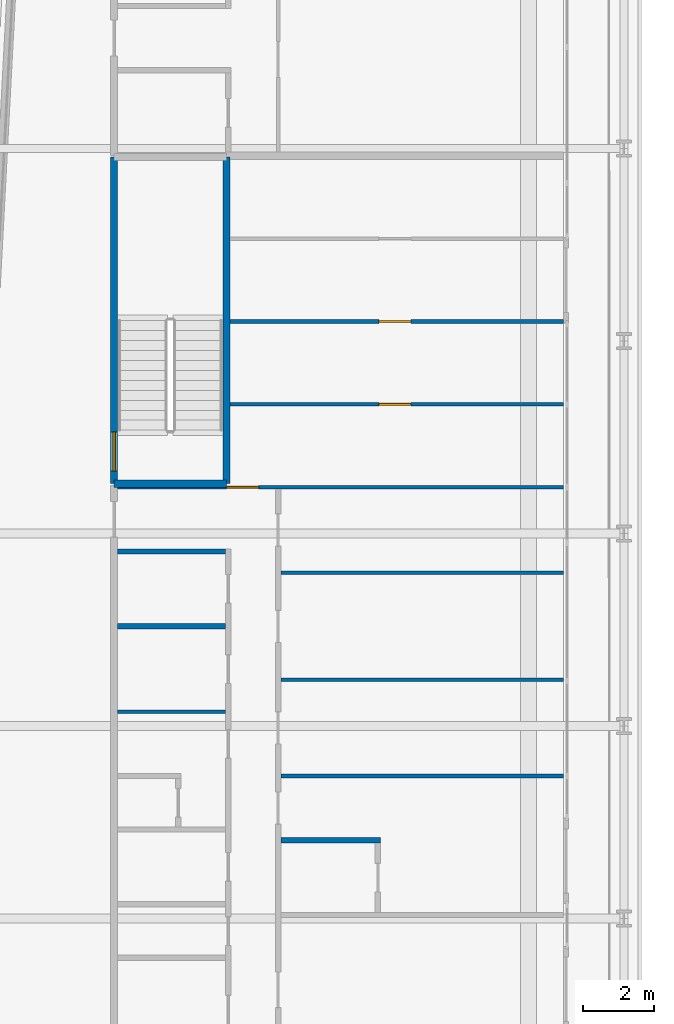
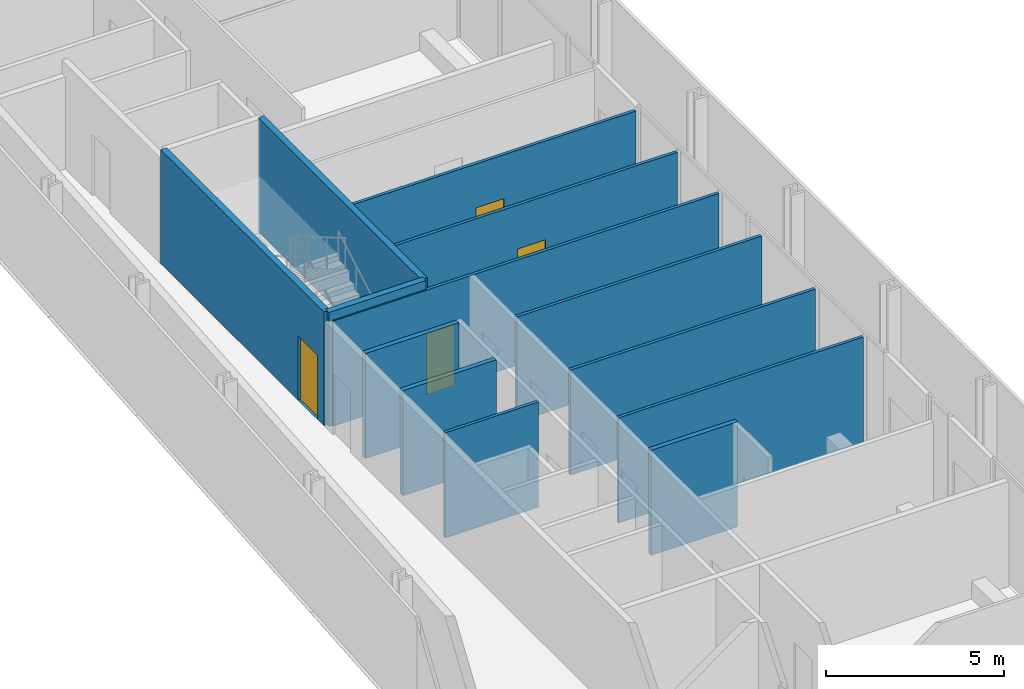
# One storey, part 17 of 27: 13 walls, 4 doors, 4 openings.
"""IFC4 building model written with IfcOpenShell, lengths in metres."""

from ifc_helpers import new_model, si_unit, direction, frame, frame_2d, origin, place, context, subcontext, project, spatial, rectangle, extrude, source, transform, mapped, material, layer, layer_set, type_object, element, fill, save


model = new_model("IFC4")

# Units and contexts
model_context = context("Model", 3, precision=1e-05, world=origin(), true_north=direction((0.0, 1.0)))
body_context = subcontext(model_context, "Body", "Model", "MODEL_VIEW")
ifc_project = project(units=[si_unit("LENGTHUNIT", "METRE"), si_unit("AREAUNIT", "SQUARE_METRE"), si_unit("VOLUMEUNIT", "CUBIC_METRE"), si_unit("PLANEANGLEUNIT", "RADIAN"), si_unit("MASSUNIT", "GRAM", prefix="KILO")], contexts=[model_context])

# Site, building, storey
site_placement = place(None, origin())
site = spatial("IfcSite", under=ifc_project, at=site_placement, CompositionType="ELEMENT")
building_placement = place(site_placement, origin())
building = spatial("IfcBuilding", under=site, at=building_placement, Name="Kheshtan School and Residences Tower", CompositionType="ELEMENT")
storey_placement = place(building_placement, frame((0.0, 0.0, 50.0)))
storey = spatial("IfcBuildingStorey", under=building, at=storey_placement, Name="L11", CompositionType="ELEMENT", Elevation=50.0)

# Wall
ifc_material_1 = material(Name="Gypsum board on steel studs", Category="steel")
ifc_layer_1 = layer(ifc_material_1, 0.10009765625)
ifc_layer_set_1 = layer_set([ifc_layer_1], Name="Gypsum partition 100")
wall_type_1 = type_object("IfcWallType", Name="Gypsum partition 100", PredefinedType="PARTITIONING", material=ifc_layer_set_1)
wall_1_placement = place(storey_placement, frame((33.39990234375, 73.0, 0.0), z_axis=(0.0, 0.0, 1.0), x_axis=(1.0, 0.0, 0.0)))
element("IfcWall", 1, at=wall_1_placement, inside=storey, type_object=wall_type_1, Name="Partition L11-014", PredefinedType="PARTITIONING", context=body_context, shape_type="SweptSolid", body=[
    extrude(rectangle(XDim=3.025146484375, YDim=0.10009765625, at=frame_2d((1.5126953125, 0.0))), origin(), (0.0, 0.0, 1.0), 3.60009765625),
])

# Wall, opening, door
wall_2_placement = place(storey_placement, frame((33.39990234375, 79.300048828125, 0.0), z_axis=(0.0, 0.0, 1.0), x_axis=(1.0, 0.0, 0.0)))
wall_2 = element("IfcWall", 2, at=wall_2_placement, inside=storey, type_object=wall_type_1, Name="Partition L11-017", PredefinedType="PARTITIONING", context=body_context, shape_type="SweptSolid", body=[
    extrude(rectangle(XDim=12.5, YDim=0.10009765625, at=frame_2d((6.25, 0.0))), origin(), (0.0, 0.0, 1.0), 3.60009765625),
])
opening_1_placement = place(wall_2_placement, frame((3.052978515625, 0.0, 0.0)))
opening_1 = element("IfcOpeningElement", 3, at=opening_1_placement, cuts=wall_2, Name="Opening D10-046", PredefinedType="OPENING", context=body_context, shape_type="SweptSolid", body=[
    extrude(rectangle(XDim=0.89990234375, YDim=2.10009765625, at=frame_2d((0.449951171875, 1.050048828125))), frame((0.0, 0.06005859375, 0.0), z_axis=(0.0, -1.0, 0.0), x_axis=(1.0, 0.0, 0.0)), (0.0, 0.0, 1.0), 0.1201171875),
])
ifc_material_2 = material(Name="Veneered timber door leaf", Category="wood")
door_type_1 = type_object("IfcDoorType", Name="Door 900 x 2100", OperationType="SINGLE_SWING_LEFT", PredefinedType="DOOR", material=ifc_material_2)
shared_shape_1 = source(origin(), body_context, "Body", "SweptSolid", [
    extrude(rectangle(XDim=0.89990234375, YDim=2.10009765625, at=frame_2d((0.449951171875, 1.050048828125))), frame((0.0, 0.02490234375, 0.0), z_axis=(0.0, -1.0, 0.0), x_axis=(1.0, 0.0, 0.0)), (0.0, 0.0, 1.0), 0.050048828125),
])
door_1_placement = place(opening_1_placement, origin())
door_1 = element("IfcDoor", 4, at=door_1_placement, inside=storey, type_object=door_type_1, Name="Door D10-046", OperationType="SINGLE_SWING_LEFT", OverallHeight=2.10009765625, OverallWidth=0.89990234375, PredefinedType="DOOR", context=body_context, shape_type="MappedRepresentation", body=[
    mapped(shared_shape_1, transform((0.0, 0.0, 0.0), x_axis=(1.0, 0.0, 0.0), y_axis=(0.0, 1.0, 0.0), z_axis=(0.0, 0.0, 1.0), scale=1.0)),
])
fill(opening_1, door_1)

wall_3_placement = place(storey_placement, frame((36.549072265625, 81.625, 0.0), z_axis=(0.0, 0.0, 1.0), x_axis=(1.0, 0.0, 0.0)))
wall_3 = element("IfcWall", 5, at=wall_3_placement, inside=storey, type_object=wall_type_1, Name="Partition L11-030", PredefinedType="PARTITIONING", context=body_context, shape_type="SweptSolid", body=[
    extrude(rectangle(XDim=9.350830078125, YDim=0.10009765625, at=frame_2d((4.67529296875, 0.0))), origin(), (0.0, 0.0, 1.0), 3.60009765625),
])
opening_2_placement = place(wall_3_placement, frame((4.176025390625, 0.0, 0.0)))
opening_2 = element("IfcOpeningElement", 6, at=opening_2_placement, cuts=wall_3, Name="Opening D10-047", PredefinedType="OPENING", context=body_context, shape_type="SweptSolid", body=[
    extrude(rectangle(XDim=0.89990234375, YDim=2.10009765625, at=frame_2d((0.449951171875, 1.050048828125))), frame((0.0, 0.06005859375, 0.0), z_axis=(0.0, -1.0, 0.0), x_axis=(1.0, 0.0, 0.0)), (0.0, 0.0, 1.0), 0.1201171875),
])
door_2_placement = place(opening_2_placement, origin())
door_2 = element("IfcDoor", 7, at=door_2_placement, inside=storey, type_object=door_type_1, Name="Door D10-047", OperationType="SINGLE_SWING_RIGHT", OverallHeight=2.10009765625, OverallWidth=0.89990234375, PredefinedType="DOOR", context=body_context, shape_type="MappedRepresentation", body=[
    mapped(shared_shape_1, transform((0.0, 0.0, 0.0), x_axis=(1.0, 0.0, 0.0), y_axis=(0.0, 1.0, 0.0), z_axis=(0.0, 0.0, 1.0), scale=1.0)),
])
fill(opening_2, door_2)

wall_4_placement = place(storey_placement, frame((36.549072265625, 83.949951171875, 0.0), z_axis=(0.0, 0.0, 1.0), x_axis=(1.0, 0.0, 0.0)))
wall_4 = element("IfcWall", 8, at=wall_4_placement, inside=storey, type_object=wall_type_1, Name="Partition L11-031", PredefinedType="PARTITIONING", context=body_context, shape_type="SweptSolid", body=[
    extrude(rectangle(XDim=9.350830078125, YDim=0.10009765625, at=frame_2d((4.67529296875, 0.0))), origin(), (0.0, 0.0, 1.0), 3.60009765625),
])
opening_3_placement = place(wall_4_placement, frame((4.176025390625, 0.0, 0.0)))
opening_3 = element("IfcOpeningElement", 9, at=opening_3_placement, cuts=wall_4, Name="Opening D10-048", PredefinedType="OPENING", context=body_context, shape_type="SweptSolid", body=[
    extrude(rectangle(XDim=0.89990234375, YDim=2.10009765625, at=frame_2d((0.449951171875, 1.050048828125))), frame((0.0, 0.06005859375, 0.0), z_axis=(0.0, -1.0, 0.0), x_axis=(1.0, 0.0, 0.0)), (0.0, 0.0, 1.0), 0.1201171875),
])
door_3_placement = place(opening_3_placement, origin())
door_3 = element("IfcDoor", 10, at=door_3_placement, inside=storey, type_object=door_type_1, Name="Door D10-048", OperationType="SINGLE_SWING_RIGHT", OverallHeight=2.10009765625, OverallWidth=0.89990234375, PredefinedType="DOOR", context=body_context, shape_type="MappedRepresentation", body=[
    mapped(shared_shape_1, transform((0.0, 0.0, 0.0), x_axis=(1.0, 0.0, 0.0), y_axis=(0.0, 1.0, 0.0), z_axis=(0.0, 0.0, 1.0), scale=1.0)),
])
fill(opening_3, door_3)

# Walls
for number, where, z_axis, x_axis, name in (
    (11, (37.97509765625, 71.199951171875, 0.0), (0.0, 0.0, 1.0), (1.0, 0.0, 0.0), "Partition L11-040"),
    (12, (37.97509765625, 73.89990234375, 0.0), (0.0, 0.0, 1.0), (1.0, 0.0, 0.0), "Partition L11-041"),
    (13, (37.97509765625, 76.89990234375, 0.0), (0.0, 0.0, 1.0), (1.0, 0.0, 0.0), "Partition L11-042"),
):
    element("IfcWall", number, at=place(storey_placement, frame(where, z_axis=z_axis, x_axis=x_axis)), inside=storey, type_object=wall_type_1, Name=name, PredefinedType="PARTITIONING", context=body_context, shape_type="SweptSolid", body=[
        extrude(rectangle(XDim=7.9248046875, YDim=0.10009765625, at=frame_2d((3.96240234375, 0.0))), origin(), (0.0, 0.0, 1.0), 3.60009765625),
    ])
ifc_material_3 = material(Name="Concrete C40/50", Category="concrete")
ifc_layer_2 = layer(ifc_material_3, 0.199951171875)
ifc_layer_set_2 = layer_set([ifc_layer_2], Name="Stair enclosure wall 200 Concrete C40/50")
wall_type_2 = type_object("IfcWallType", Name="Stair enclosure wall 200 Concrete C40/50", PredefinedType="SHEAR", material=ifc_layer_set_2)
wall_5_placement = place(storey_placement, frame((33.300048828125, 79.39990234375, 0.0), z_axis=(0.0, 0.0, 1.0), x_axis=(1.0, 0.0, 0.0)))
element("IfcWall", 14, at=wall_5_placement, inside=storey, type_object=wall_type_2, Name="Stair enclosure wall ST3", PredefinedType="SHEAR", context=body_context, shape_type="SweptSolid", body=[
    extrude(rectangle(XDim=3.14990234375, YDim=0.199951171875, at=frame_2d((1.574951171875, 0.0))), origin(), (0.0, 0.0, 1.0), 3.89990234375),
])

# Wall, opening, door
wall_6_placement = place(storey_placement, frame((33.300048828125, 79.39990234375, 0.0), z_axis=(0.0, 0.0, 1.0), x_axis=(0.0, 1.0, 0.0)))
wall_6 = element("IfcWall", 15, at=wall_6_placement, inside=storey, type_object=wall_type_2, Name="Stair enclosure wall ST3", PredefinedType="SHEAR", context=body_context, shape_type="SweptSolid", body=[
    extrude(rectangle(XDim=9.16015625, YDim=0.199951171875, at=frame_2d((4.580078125, 0.0))), origin(), (0.0, 0.0, 1.0), 3.89990234375),
])
opening_4_placement = place(wall_6_placement, frame((0.35009765625, 0.0, 0.0)))
opening_4 = element("IfcOpeningElement", 16, at=opening_4_placement, cuts=wall_6, Name="Opening ST3D", PredefinedType="OPENING", context=body_context, shape_type="SweptSolid", body=[
    extrude(rectangle(XDim=1.10009765625, YDim=2.199951171875, at=frame_2d((0.550048828125, 1.10009765625))), frame((0.0, 0.10986328125, 0.0), z_axis=(0.0, -1.0, 0.0), x_axis=(1.0, 0.0, 0.0)), (0.0, 0.0, 1.0), 0.219970703125),
])
ifc_material_4 = material(Name="Steel door leaf, galvanised", Category="steel")
door_type_2 = type_object("IfcDoorType", Name="Stair door 1100 steel 90 min", OperationType="SINGLE_SWING_LEFT", PredefinedType="DOOR", material=ifc_material_4)
shared_shape_2 = source(origin(), body_context, "Body", "SweptSolid", [
    extrude(rectangle(XDim=1.10009765625, YDim=2.199951171875, at=frame_2d((0.550048828125, 1.10009765625))), frame((0.0, 0.02490234375, 0.0), z_axis=(0.0, -1.0, 0.0), x_axis=(1.0, 0.0, 0.0)), (0.0, 0.0, 1.0), 0.050048828125),
])
door_4_placement = place(opening_4_placement, origin())
door_4 = element("IfcDoor", 17, at=door_4_placement, inside=storey, type_object=door_type_2, Name="Stair ST3 door", OperationType="SINGLE_SWING_RIGHT", OverallHeight=2.199951171875, OverallWidth=1.10009765625, PredefinedType="DOOR", context=body_context, shape_type="MappedRepresentation", body=[
    mapped(shared_shape_2, transform((0.0, 0.0, 0.0), x_axis=(1.0, 0.0, 0.0), y_axis=(0.0, 1.0, 0.0), z_axis=(0.0, 0.0, 1.0), scale=1.0)),
])
fill(opening_4, door_4)

# Walls
wall_7_placement = place(storey_placement, frame((36.449951171875, 79.39990234375, 0.0), z_axis=(0.0, 0.0, 1.0), x_axis=(0.0, 1.0, 0.0)))
element("IfcWall", 18, at=wall_7_placement, inside=storey, type_object=wall_type_2, Name="Stair enclosure wall ST3", PredefinedType="SHEAR", context=body_context, shape_type="SweptSolid", body=[
    extrude(rectangle(XDim=9.16015625, YDim=0.199951171875, at=frame_2d((4.580078125, 0.0))), origin(), (0.0, 0.0, 1.0), 3.89990234375),
])
ifc_material_5 = material(Name="Moisture-resistant gypsum board on steel studs", Category="steel")
ifc_layer_3 = layer(ifc_material_5, 0.14990234375)
ifc_layer_set_3 = layer_set([ifc_layer_3], Name="Wet-room partition 150")
wall_type_3 = type_object("IfcWallType", Name="Wet-room partition 150", PredefinedType="PARTITIONING", material=ifc_layer_set_3)
for number, where, z_axis, x_axis, name in (
    (19, (33.39990234375, 75.39990234375, 0.0), (0.0, 0.0, 1.0), (1.0, 0.0, 0.0), "Partition L11-015"),
    (20, (33.39990234375, 77.5, 0.0), (0.0, 0.0, 1.0), (1.0, 0.0, 0.0), "Partition L11-016"),
):
    element("IfcWall", number, at=place(storey_placement, frame(where, z_axis=z_axis, x_axis=x_axis)), inside=storey, type_object=wall_type_3, Name=name, PredefinedType="PARTITIONING", context=body_context, shape_type="SweptSolid", body=[
        extrude(rectangle(XDim=3.025146484375, YDim=0.14990234375, at=frame_2d((1.5126953125, 0.0))), origin(), (0.0, 0.0, 1.0), 3.60009765625),
    ])
wall_8_placement = place(storey_placement, frame((37.97509765625, 69.39990234375, 0.0), z_axis=(0.0, 0.0, 1.0), x_axis=(1.0, 0.0, 0.0)))
element("IfcWall", 21, at=wall_8_placement, inside=storey, type_object=wall_type_3, Name="Partition L11-039", PredefinedType="PARTITIONING", context=body_context, shape_type="SweptSolid", body=[
    extrude(rectangle(XDim=2.7998046875, YDim=0.14990234375, at=frame_2d((1.39990234375, 0.0))), origin(), (0.0, 0.0, 1.0), 3.60009765625),
])

save(model, "model.ifc")
